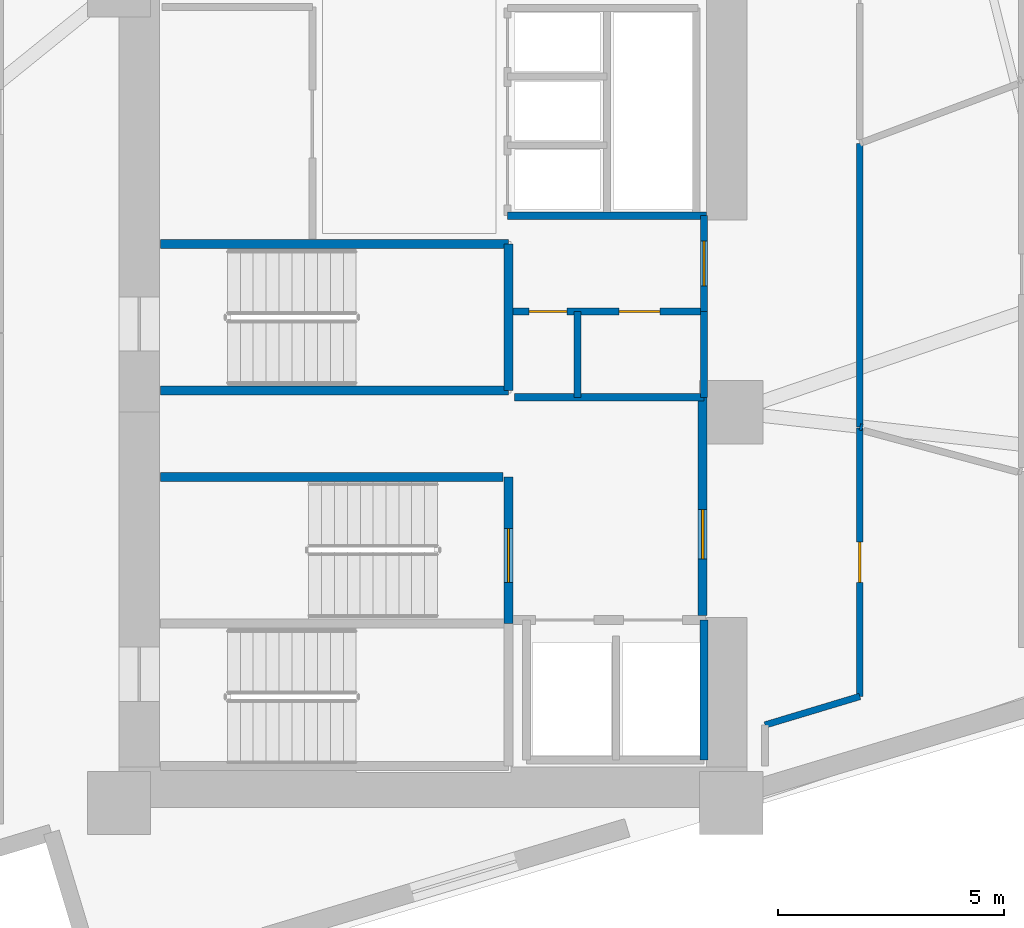
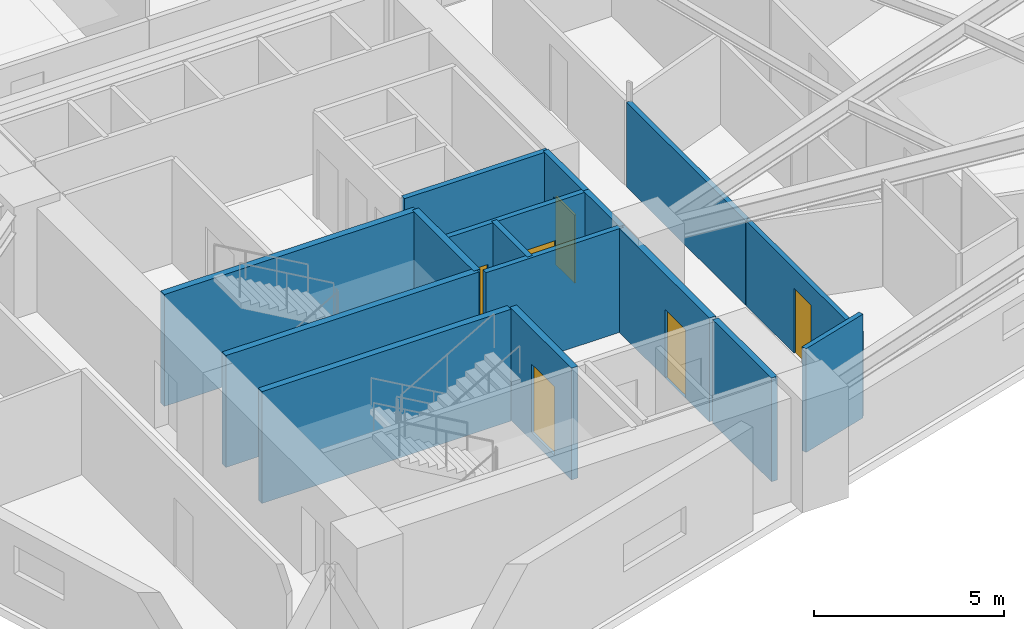
# One storey, part 10 of 17: 17 walls, 6 doors, 6 openings.
"""IFC4 building model written with IfcOpenShell, lengths in metres."""

from ifc_helpers import new_model, si_unit, direction, frame, frame_2d, origin, place, context, subcontext, project, spatial, rectangle, extrude, material, layer, layer_set, type_object, element, fill, save


model = new_model("IFC4")

# Units and contexts
model_context = context("Model", 3, precision=1e-05, world=origin(), true_north=direction((0.0, 1.0)))
body_context = subcontext(model_context, "Body", "Model", "MODEL_VIEW")
ifc_project = project(units=[si_unit("LENGTHUNIT", "METRE"), si_unit("AREAUNIT", "SQUARE_METRE"), si_unit("VOLUMEUNIT", "CUBIC_METRE"), si_unit("PLANEANGLEUNIT", "RADIAN"), si_unit("MASSUNIT", "GRAM", prefix="KILO")], contexts=[model_context])

# Site, building, storey
site_placement = place(None, origin())
site = spatial("IfcSite", under=ifc_project, at=site_placement, CompositionType="ELEMENT")
building_placement = place(site_placement, origin())
building = spatial("IfcBuilding", under=site, at=building_placement, Name="Narakoshi Arena Tower", CompositionType="ELEMENT")
storey_placement = place(building_placement, frame((0.0, 0.0, 139.5)))
storey = spatial("IfcBuildingStorey", under=building, at=storey_placement, Name="L37", CompositionType="ELEMENT", Elevation=139.5)

# Wall, opening, door
ifc_material_1 = material(Name="Gypsum plasterboard fire-rated partition")
ifc_layer_1 = layer(ifc_material_1, 0.1650390625)
ifc_layer_set_1 = layer_set([ifc_layer_1], Name="Gypsum plasterboard fire-rated partition")
wall_type_1 = type_object("IfcWallType", Name="WL-CORR-165", PredefinedType="PARTITIONING", material=ifc_layer_set_1)
wall_1_placement = place(storey_placement, frame((84.949951171875, 45.580078125, 0.0), z_axis=(0.0, 0.0, 1.0), x_axis=(0.0, 1.0, 0.0)))
wall_1 = element("IfcWall", 1, at=wall_1_placement, inside=storey, type_object=wall_type_1, Name="L37 Core Wall CPAS-E", PredefinedType="PARTITIONING", context=body_context, shape_type="SweptSolid", body=[
    extrude(rectangle(XDim=2.119873046875, YDim=0.1650390625, at=frame_2d((1.06005859375, 0.0))), origin(), (0.0, 0.0, 1.0), 3.340087890625),
])
opening_1_placement = place(wall_1_placement, frame((0.56005859375, 0.0, 0.0)))
opening_1 = element("IfcOpeningElement", 2, at=opening_1_placement, cuts=wall_1, Name="Opening D-06", PredefinedType="OPENING", context=body_context, shape_type="SweptSolid", body=[
    extrude(rectangle(XDim=1.0, YDim=2.199951171875, at=frame_2d((0.5, 1.10009765625))), frame((0.0, 0.092529296875, 0.0), z_axis=(0.0, -1.0, 0.0), x_axis=(1.0, 0.0, 0.0)), (0.0, 0.0, 1.0), 0.18505859375),
])
ifc_material_2 = material(Name="Stained oak solid-core timber", Category="wood")
door_type_1 = type_object("IfcDoorType", Name="DR-OFF-1000", OperationType="NOTDEFINED", PredefinedType="DOOR", material=ifc_material_2)
door_1_placement = place(opening_1_placement, frame((1.0, 0.0, 0.0), z_axis=(0.0, 0.0, 1.0), x_axis=(-1.0, 0.0, 0.0)))
door_1 = element("IfcDoor", 3, at=door_1_placement, inside=storey, type_object=door_type_1, Name="DR-L37-007", OperationType="SINGLE_SWING_LEFT", OverallHeight=2.199951171875, OverallWidth=1.0, PredefinedType="DOOR", context=body_context, shape_type="SweptSolid", body=[
    extrude(rectangle(XDim=1.0, YDim=2.199951171875, at=frame_2d((0.5, 1.10009765625))), frame((0.0, 0.02490234375, 0.0), z_axis=(0.0, -1.0, 0.0), x_axis=(1.0, 0.0, 0.0)), (0.0, 0.0, 1.0), 0.050048828125),
])
fill(opening_1, door_1)

# Wall
ifc_material_3 = material(Name="Concrete C40/50", Category="concrete")
ifc_layer_2 = layer(ifc_material_3, 0.280029296875)
ifc_layer_set_2 = layer_set([ifc_layer_2], Name="Concrete C40/50")
wall_type_2 = type_object("IfcWallType", Name="WL-RISER-280", PredefinedType="PLUMBINGWALL", material=ifc_layer_set_2)
wall_2_placement = place(storey_placement, frame((84.949951171875, 43.679931640625, 0.0), z_axis=(0.0, 0.0, 1.0), x_axis=(0.0, 1.0, 0.0)))
element("IfcWall", 4, at=wall_2_placement, inside=storey, type_object=wall_type_2, Name="L37 Core Wall RSR-E", PredefinedType="PLUMBINGWALL", context=body_context, shape_type="SweptSolid", body=[
    extrude(rectangle(XDim=1.900146484375, YDim=0.1650390625, at=frame_2d((0.9501953125, 0.0))), origin(), (0.0, 0.0, 1.0), 3.340087890625),
])

# Wall, openings, doors
wall_3_placement = place(storey_placement, frame((80.719970703125, 45.580078125, 0.0), z_axis=(0.0, 0.0, 1.0), x_axis=(1.0, 0.0, 0.0)))
wall_3 = element("IfcWall", 5, at=wall_3_placement, inside=storey, type_object=wall_type_2, Name="L37 Core Wall RSR-N", PredefinedType="PLUMBINGWALL", context=body_context, shape_type="SweptSolid", body=[
    extrude(rectangle(XDim=4.22998046875, YDim=0.159912109375, at=frame_2d((2.114990234375, 0.0))), origin(), (0.0, 0.0, 1.0), 3.340087890625),
])
opening_2_placement = place(wall_3_placement, frame((0.35009765625, 0.0, 0.0)))
opening_2 = element("IfcOpeningElement", 6, at=opening_2_placement, cuts=wall_3, Name="Opening D-10", PredefinedType="OPENING", context=body_context, shape_type="SweptSolid", body=[
    extrude(rectangle(XDim=0.85009765625, YDim=2.050048828125, at=frame_2d((0.425048828125, 1.02490234375))), frame((0.0, 0.08984375, 0.0), z_axis=(0.0, -1.0, 0.0), x_axis=(1.0, 0.0, 0.0)), (0.0, 0.0, 1.0), 0.179931640625),
])
opening_3_placement = place(wall_3_placement, frame((2.35009765625, 0.0, 0.0)))
opening_3 = element("IfcOpeningElement", 7, at=opening_3_placement, cuts=wall_3, Name="Opening D-08", PredefinedType="OPENING", context=body_context, shape_type="SweptSolid", body=[
    extrude(rectangle(XDim=0.89990234375, YDim=2.10009765625, at=frame_2d((0.449951171875, 1.050048828125))), frame((0.0, 0.08984375, 0.0), z_axis=(0.0, -1.0, 0.0), x_axis=(1.0, 0.0, 0.0)), (0.0, 0.0, 1.0), 0.179931640625),
])
ifc_material_4 = material(Name="Painted galvanized steel", Category="steel")
door_type_2 = type_object("IfcDoorType", Name="DR-RSR-850", OperationType="NOTDEFINED", PredefinedType="DOOR", material=ifc_material_4)
door_2_placement = place(opening_2_placement, frame((0.85009765625, 0.0, 0.0), z_axis=(0.0, 0.0, 1.0), x_axis=(-1.0, 0.0, 0.0)))
door_2 = element("IfcDoor", 8, at=door_2_placement, inside=storey, type_object=door_type_2, Name="DR-L37-008", OperationType="SINGLE_SWING_LEFT", OverallHeight=2.050048828125, OverallWidth=0.85009765625, PredefinedType="DOOR", context=body_context, shape_type="SweptSolid", body=[
    extrude(rectangle(XDim=0.85009765625, YDim=2.050048828125, at=frame_2d((0.425048828125, 1.02490234375))), frame((0.0, 0.02490234375, 0.0), z_axis=(0.0, -1.0, 0.0), x_axis=(1.0, 0.0, 0.0)), (0.0, 0.0, 1.0), 0.050048828125),
])
fill(opening_2, door_2)
ifc_material_5 = material(Name="Moisture-resistant laminate timber", Category="wood")
door_type_3 = type_object("IfcDoorType", Name="DR-WC-900", OperationType="NOTDEFINED", PredefinedType="DOOR", material=ifc_material_5)
door_3_placement = place(opening_3_placement, frame((0.89990234375, 0.0, 0.0), z_axis=(0.0, 0.0, 1.0), x_axis=(-1.0, 0.0, 0.0)))
door_3 = element("IfcDoor", 9, at=door_3_placement, inside=storey, type_object=door_type_3, Name="DR-L37-009", OperationType="SINGLE_SWING_RIGHT", OverallHeight=2.10009765625, OverallWidth=0.89990234375, PredefinedType="DOOR", context=body_context, shape_type="SweptSolid", body=[
    extrude(rectangle(XDim=0.89990234375, YDim=2.10009765625, at=frame_2d((0.449951171875, 1.050048828125))), frame((0.0, 0.02490234375, 0.0), z_axis=(0.0, -1.0, 0.0), x_axis=(1.0, 0.0, 0.0)), (0.0, 0.0, 1.0), 0.050048828125),
])
fill(opening_3, door_3)

# Walls
wall_4_placement = place(storey_placement, frame((80.760009765625, 43.679931640625, 0.0), z_axis=(0.0, 0.0, 1.0), x_axis=(1.0, 0.0, 0.0)))
element("IfcWall", 10, at=wall_4_placement, inside=storey, type_object=wall_type_2, Name="L37 Core Wall RSR-S", PredefinedType="PLUMBINGWALL", context=body_context, shape_type="SweptSolid", body=[
    extrude(rectangle(XDim=4.18994140625, YDim=0.159912109375, at=frame_2d((2.094970703125, 0.0))), origin(), (0.0, 0.0, 1.0), 3.340087890625),
])
wall_5_placement = place(storey_placement, frame((82.14990234375, 43.679931640625, 0.0), z_axis=(0.0, 0.0, 1.0), x_axis=(0.0, 1.0, 0.0)))
element("IfcWall", 11, at=wall_5_placement, inside=storey, type_object=wall_type_2, Name="L37 Core Wall RSR-M", PredefinedType="PLUMBINGWALL", context=body_context, shape_type="SweptSolid", body=[
    extrude(rectangle(XDim=1.900146484375, YDim=0.159912109375, at=frame_2d((0.9501953125, 0.0))), origin(), (0.0, 0.0, 1.0), 3.340087890625),
])

# Wall, opening, door
ifc_material_6 = material(Name="Concrete C50/60", Category="concrete")
ifc_layer_3 = layer(ifc_material_6, 0.35009765625)
ifc_layer_set_3 = layer_set([ifc_layer_3], Name="Concrete C50/60")
wall_type_3 = type_object("IfcWallType", Name="WL-SHAFT-350", PredefinedType="SOLIDWALL", material=ifc_layer_set_3)
wall_6_placement = place(storey_placement, frame((80.6201171875, 38.675048828125, -0.260009765625), z_axis=(0.0, 0.0, 1.0), x_axis=(0.0, 1.0, 0.0)))
wall_6 = element("IfcWall", 12, at=wall_6_placement, inside=storey, type_object=wall_type_3, Name="L37 Core Wall ST2-E", PredefinedType="SOLIDWALL", context=body_context, shape_type="SweptSolid", body=[
    extrude(rectangle(XDim=3.244873046875, YDim=0.199951171875, at=frame_2d((1.62255859375, 0.0))), origin(), (0.0, 0.0, 1.0), 3.60009765625),
])
opening_4_placement = place(wall_6_placement, frame((0.89990234375, 0.0, 0.260009765625)))
opening_4 = element("IfcOpeningElement", 13, at=opening_4_placement, cuts=wall_6, Name="Opening D-03", PredefinedType="OPENING", context=body_context, shape_type="SweptSolid", body=[
    extrude(rectangle(XDim=1.199951171875, YDim=2.199951171875, at=frame_2d((0.60009765625, 1.10009765625))), frame((0.0, 0.10986328125, 0.0), z_axis=(0.0, -1.0, 0.0), x_axis=(1.0, 0.0, 0.0)), (0.0, 0.0, 1.0), 0.219970703125),
])
door_type_4 = type_object("IfcDoorType", Name="DR-STR-1200", OperationType="NOTDEFINED", PredefinedType="USERDEFINED", material=ifc_material_4)
door_4_placement = place(opening_4_placement, origin())
door_4 = element("IfcDoor", 14, at=door_4_placement, inside=storey, type_object=door_type_4, Name="DR-L37-002", ObjectType="EXITDOOR", OperationType="SINGLE_SWING_RIGHT", OverallHeight=2.199951171875, OverallWidth=1.199951171875, PredefinedType="USERDEFINED", context=body_context, shape_type="SweptSolid", body=[
    extrude(rectangle(XDim=1.199951171875, YDim=2.199951171875, at=frame_2d((0.60009765625, 1.10009765625))), frame((0.0, 0.02490234375, 0.0), z_axis=(0.0, -1.0, 0.0), x_axis=(1.0, 0.0, 0.0)), (0.0, 0.0, 1.0), 0.050048828125),
])
fill(opening_4, door_4)

# Wall
wall_7_placement = place(storey_placement, frame((84.949951171875, 35.64990234375, 0.0), z_axis=(0.0, 0.0, 1.0), x_axis=(0.0, 1.0, 0.0)))
element("IfcWall", 15, at=wall_7_placement, inside=storey, type_object=wall_type_3, Name="L37 Core Wall FF-E", PredefinedType="SOLIDWALL", context=body_context, shape_type="SweptSolid", body=[
    extrude(rectangle(XDim=3.10009765625, YDim=0.179931640625, at=frame_2d((1.550048828125, 0.0))), origin(), (0.0, 0.0, 1.0), 3.340087890625),
])

# Wall, opening, door
wall_8_placement = place(storey_placement, frame((84.919921875, 38.85009765625, 0.0), z_axis=(0.0, 0.0, 1.0), x_axis=(0.0, 1.0, 0.0)))
wall_8 = element("IfcWall", 16, at=wall_8_placement, inside=storey, type_object=wall_type_3, Name="L37 Core Wall FFLOB-E", PredefinedType="SOLIDWALL", context=body_context, shape_type="SweptSolid", body=[
    extrude(rectangle(XDim=4.829833984375, YDim=0.199951171875, at=frame_2d((2.4150390625, 0.0))), origin(), (0.0, 0.0, 1.0), 3.340087890625),
])
opening_5_placement = place(wall_8_placement, frame((1.25, 0.0, 0.0)))
opening_5 = element("IfcOpeningElement", 17, at=opening_5_placement, cuts=wall_8, Name="Opening D-04", PredefinedType="OPENING", context=body_context, shape_type="SweptSolid", body=[
    extrude(rectangle(XDim=1.10009765625, YDim=2.199951171875, at=frame_2d((0.550048828125, 1.10009765625))), frame((0.0, 0.10986328125, 0.0), z_axis=(0.0, -1.0, 0.0), x_axis=(1.0, 0.0, 0.0)), (0.0, 0.0, 1.0), 0.219970703125),
])
door_type_5 = type_object("IfcDoorType", Name="DR-FFL-1100", OperationType="NOTDEFINED", PredefinedType="DOOR", material=ifc_material_4)
door_5_placement = place(opening_5_placement, frame((1.10009765625, 0.0, 0.0), z_axis=(0.0, 0.0, 1.0), x_axis=(-1.0, 0.0, 0.0)))
door_5 = element("IfcDoor", 18, at=door_5_placement, inside=storey, type_object=door_type_5, Name="DR-L37-005", OperationType="SINGLE_SWING_RIGHT", OverallHeight=2.199951171875, OverallWidth=1.10009765625, PredefinedType="DOOR", context=body_context, shape_type="SweptSolid", body=[
    extrude(rectangle(XDim=1.10009765625, YDim=2.199951171875, at=frame_2d((0.550048828125, 1.10009765625))), frame((0.0, 0.02490234375, 0.0), z_axis=(0.0, -1.0, 0.0), x_axis=(1.0, 0.0, 0.0)), (0.0, 0.0, 1.0), 0.050048828125),
])
fill(opening_5, door_5)

# Walls
wall_9_placement = place(storey_placement, frame((72.919921875, 41.919921875, -0.260009765625), z_axis=(0.0, 0.0, 1.0), x_axis=(1.0, 0.0, 0.0)))
element("IfcWall", 19, at=wall_9_placement, inside=storey, type_object=wall_type_3, Name="L37 Core Wall ST2-N", PredefinedType="SOLIDWALL", context=body_context, shape_type="SweptSolid", body=[
    extrude(rectangle(XDim=7.580078125, YDim=0.199951171875, at=frame_2d((3.7900390625, 0.0))), origin(), (0.0, 0.0, 1.0), 3.60009765625),
])
for number, where, z_axis, x_axis, name in (
    (20, (72.919921875, 43.830078125, -0.260009765625), (0.0, 0.0, 1.0), (1.0, 0.0, 0.0), "L37 Core Wall ST3-S"),
    (21, (72.919921875, 47.070068359375, -0.260009765625), (0.0, 0.0, 1.0), (1.0, 0.0, 0.0), "L37 Core Wall ST3-N"),
):
    element("IfcWall", number, at=place(storey_placement, frame(where, z_axis=z_axis, x_axis=x_axis)), inside=storey, type_object=wall_type_3, Name=name, PredefinedType="SOLIDWALL", context=body_context, shape_type="SweptSolid", body=[
        extrude(rectangle(XDim=7.7001953125, YDim=0.199951171875, at=frame_2d((3.85009765625, 0.0))), origin(), (0.0, 0.0, 1.0), 3.60009765625),
    ])
wall_10_placement = place(storey_placement, frame((80.6201171875, 43.830078125, -0.260009765625), z_axis=(0.0, 0.0, 1.0), x_axis=(0.0, 1.0, 0.0)))
element("IfcWall", 22, at=wall_10_placement, inside=storey, type_object=wall_type_3, Name="L37 Core Wall ST3-E", PredefinedType="SOLIDWALL", context=body_context, shape_type="SweptSolid", body=[
    extrude(rectangle(XDim=3.239990234375, YDim=0.199951171875, at=frame_2d((1.6201171875, 0.0))), origin(), (0.0, 0.0, 1.0), 3.60009765625),
])
wall_11_placement = place(storey_placement, frame((80.60009765625, 47.699951171875, 0.0), z_axis=(0.0, 0.0, 1.0), x_axis=(1.0, 0.0, 0.0)))
element("IfcWall", 23, at=wall_11_placement, inside=storey, type_object=wall_type_3, Name="L37 Core Wall MR-S", PredefinedType="SOLIDWALL", context=body_context, shape_type="SweptSolid", body=[
    extrude(rectangle(XDim=4.39990234375, YDim=0.159912109375, at=frame_2d((2.199951171875, 0.0))), origin(), (0.0, 0.0, 1.0), 3.340087890625),
])

# Wall, opening, door
ifc_material_7 = material(Name="Moisture-resistant cement-board partition")
ifc_layer_4 = layer(ifc_material_7, 0.14501953125)
ifc_layer_set_4 = layer_set([ifc_layer_4], Name="Moisture-resistant cement-board partition")
wall_type_4 = type_object("IfcWallType", Name="WL-WET-145", PredefinedType="PARTITIONING", material=ifc_layer_set_4)
wall_12_placement = place(storey_placement, frame((88.39990234375, 37.05712890625, 0.0), z_axis=(0.0, 0.0, 1.0), x_axis=(0.0, 1.0, 0.0)))
wall_12 = element("IfcWall", 24, at=wall_12_placement, inside=storey, type_object=wall_type_4, Name="L37 Corridor Partition 02-1", PredefinedType="PARTITIONING", context=body_context, shape_type="SweptSolid", body=[
    extrude(rectangle(XDim=5.944091796875, YDim=0.14501953125, at=frame_2d((2.97216796875, 0.0))), origin(), (0.0, 0.0, 1.0), 2.72509765625),
])
opening_6_placement = place(wall_12_placement, frame((2.52197265625, 0.0, 0.0)))
opening_6 = element("IfcOpeningElement", 25, at=opening_6_placement, cuts=wall_12, Name="Opening D-08", PredefinedType="OPENING", context=body_context, shape_type="SweptSolid", body=[
    extrude(rectangle(XDim=0.89990234375, YDim=2.10009765625, at=frame_2d((0.449951171875, 1.050048828125))), frame((0.0, 0.08251953125, 0.0), z_axis=(0.0, -1.0, 0.0), x_axis=(1.0, 0.0, 0.0)), (0.0, 0.0, 1.0), 0.1650390625),
])
door_6_placement = place(opening_6_placement, frame((0.89990234375, 0.0, 0.0), z_axis=(0.0, 0.0, 1.0), x_axis=(-1.0, 0.0, 0.0)))
door_6 = element("IfcDoor", 26, at=door_6_placement, inside=storey, type_object=door_type_3, Name="DR-L37-015", OperationType="SINGLE_SWING_LEFT", OverallHeight=2.10009765625, OverallWidth=0.89990234375, PredefinedType="DOOR", context=body_context, shape_type="SweptSolid", body=[
    extrude(rectangle(XDim=0.89990234375, YDim=2.10009765625, at=frame_2d((0.449951171875, 1.050048828125))), frame((0.0, 0.02490234375, 0.0), z_axis=(0.0, -1.0, 0.0), x_axis=(1.0, 0.0, 0.0)), (0.0, 0.0, 1.0), 0.050048828125),
])
fill(opening_6, door_6)

# Walls
wall_13_placement = place(storey_placement, frame((86.300048828125, 36.425048828125, 0.0), z_axis=(0.0, 0.0, 1.0), x_axis=(0.957559291079, 0.288236368399, 0.0)))
element("IfcWall", 27, at=wall_13_placement, inside=storey, type_object=wall_type_4, Name="L37 Corridor Partition 02-4", PredefinedType="PARTITIONING", context=body_context, shape_type="SweptSolid", body=[
    extrude(rectangle(XDim=2.19287109375, YDim=0.14501953125, at=frame_2d((1.096435546875, 0.0))), origin(), (0.0, 0.0, 1.0), 3.340087890625),
])
wall_14_placement = place(storey_placement, frame((88.39990234375, 43.02587890625, 0.0), z_axis=(0.0, 0.0, 1.0), x_axis=(0.0, 1.0, 0.0)))
element("IfcWall", 28, at=wall_14_placement, inside=storey, type_object=wall_type_4, Name="L37 Corridor Partition 05-2", PredefinedType="PARTITIONING", context=body_context, shape_type="SweptSolid", body=[
    extrude(rectangle(XDim=6.275146484375, YDim=0.14501953125, at=frame_2d((3.1376953125, 0.0))), origin(), (0.0, 0.0, 1.0), 2.72509765625),
])
wall_15_placement = place(storey_placement, frame((88.4599609375, 43.009765625, 0.0), z_axis=(0.0, 0.0, 1.0), x_axis=(-0.965842837235, 0.259128566087, 0.0)))
element("IfcWall", 29, at=wall_15_placement, inside=storey, type_object=wall_type_4, Name="L37 Corridor Partition 05-4", PredefinedType="PARTITIONING", context=body_context, shape_type="SweptSolid", body=[
    extrude(rectangle(XDim=0.062255859375, YDim=0.14501953125, at=frame_2d((0.03125, 0.0))), origin(), (0.0, 0.0, 1.0), 2.72509765625),
])

save(model, "model.ifc")
